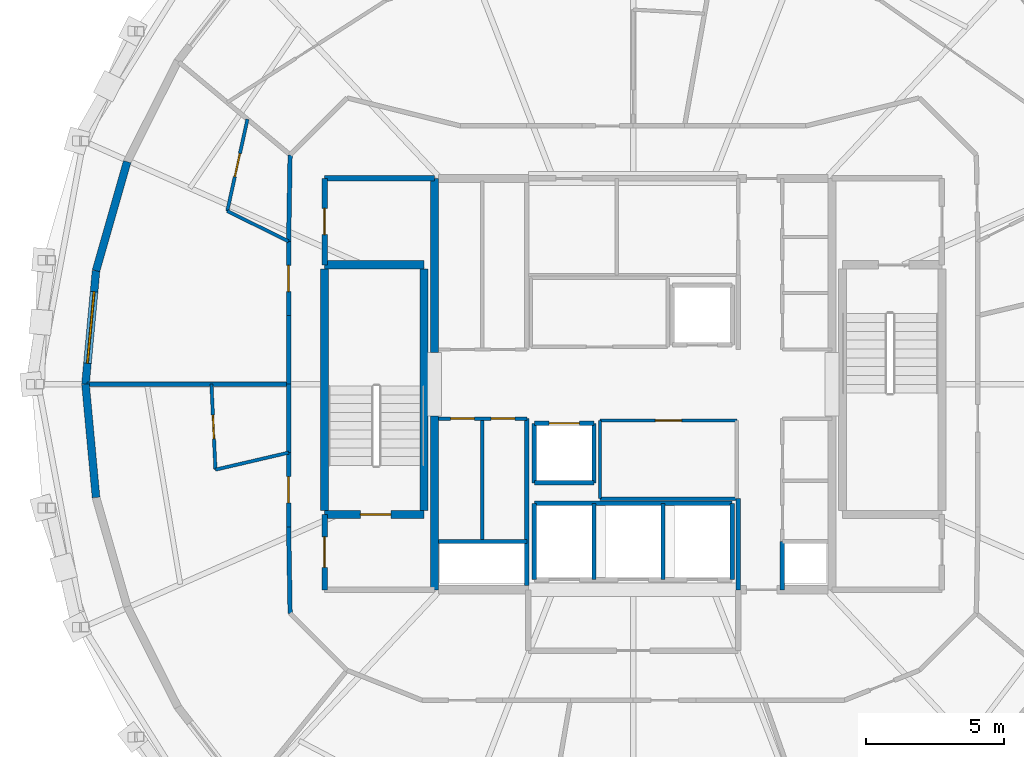
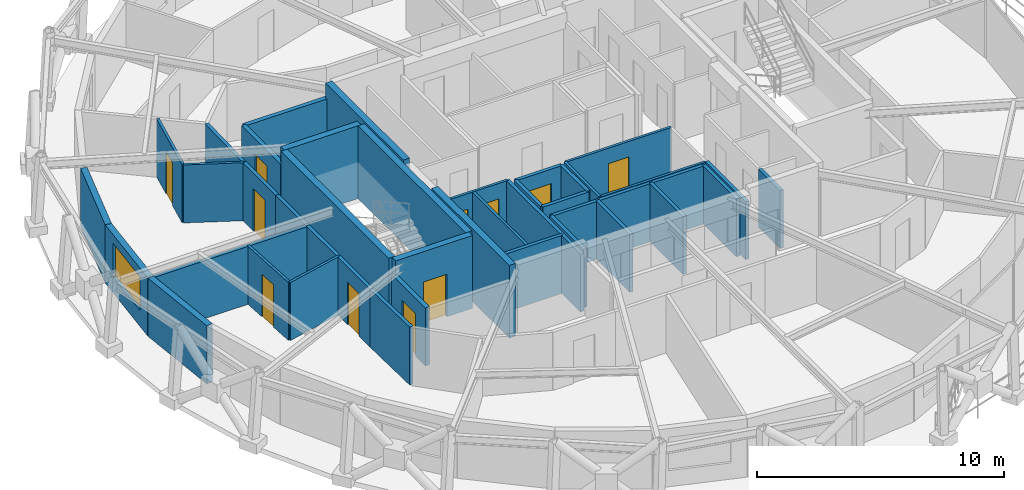
# One storey, part 11 of 15: 41 walls, 11 doors, 1 window, 12 openings.
"""IFC4 building model written with IfcOpenShell, lengths in metres."""

import ifcopenshell
import ifcopenshell.guid

model = None  # the IFC model being written
_history = None  # IfcOwnerHistory: only IFC2X3 demands one
_inside = {}  # id of a spatial element -> (the spatial element, [elements in it])
_under = {}  # id of a project, library or spatial element -> (it, [spatial elements below it])
_declared = {}  # id of a project -> (the project, [libraries it declares])
_typed = {}  # id of a type object -> (the type object, [elements of that type])
_made_of = {}  # id of a material, layer set ... -> (it, [elements and type objects made of it])


def new_model(schema):
    """Start an empty IFC model of exactly this schema.

    Asked for "IFC4X3", IfcOpenShell would pick the latest addendum, in which some entities
    have other attributes; the version numbers below select the first issue.
    IFC2X3 requires an IfcOwnerHistory on every rooted entity: one is made here for all.
    """
    global model, _history
    if schema == "IFC4X3":
        model = ifcopenshell.file(schema_version=(4, 3, 0, 0))
    else:
        model = ifcopenshell.file(schema=schema)
    _inside.clear()
    _under.clear()
    _declared.clear()
    _typed.clear()
    _made_of.clear()
    _history = None
    if model.schema == "IFC2X3":
        org = make("IfcOrganization", Name="unknown")
        user = make(
            "IfcPersonAndOrganization",
            ThePerson=make("IfcPerson", FamilyName="unknown"),
            TheOrganization=org,
        )
        app = make(
            "IfcApplication",
            ApplicationDeveloper=org,
            Version="unknown",
            ApplicationFullName="unknown",
            ApplicationIdentifier="unknown",
        )
        _history = make(
            "IfcOwnerHistory",
            OwningUser=user,
            OwningApplication=app,
            ChangeAction="ADDED",
            CreationDate=0,
        )
    return model


def make(cls, **values):
    """One entity of the class cls with the attributes given. An attribute that is None is left unset."""
    return model.create_entity(
        cls, **{name: value for name, value in values.items() if value is not None}
    )


def rooted(cls, **values):
    """An entity with a GlobalId (a new one), such as an element, a storey or a relation."""
    return make(cls, GlobalId=ifcopenshell.guid.new(), OwnerHistory=_history, **values)


def si_unit(unit_type, name, prefix=None):
    """IfcSIUnit, for example si_unit("LENGTHUNIT", "METRE", prefix="MILLI")."""
    return make("IfcSIUnit", UnitType=unit_type, Prefix=prefix, Name=name)


def assignment(units):
    """IfcUnitAssignment: the units of a project."""
    return None if units is None else make("IfcUnitAssignment", Units=units)


def point(xyz):
    """IfcCartesianPoint."""
    return None if xyz is None else make("IfcCartesianPoint", Coordinates=xyz)


def direction(xyz):
    """IfcDirection."""
    return None if xyz is None else make("IfcDirection", DirectionRatios=xyz)


def frame(location, z_axis=None, x_axis=None):
    """IfcAxis2Placement3D, a coordinate frame: its origin and axes. An axis left out is left unset."""
    return make(
        "IfcAxis2Placement3D",
        Location=point(location),
        Axis=direction(z_axis),
        RefDirection=direction(x_axis),
    )


def frame_2d(location, x_axis=None):
    """IfcAxis2Placement2D, a coordinate frame in the plane: its origin and x axis."""
    return make(
        "IfcAxis2Placement2D", Location=point(location), RefDirection=direction(x_axis)
    )


def origin():
    """The frame at (0, 0, 0) with its axes left unset."""
    return frame((0.0, 0.0, 0.0))


def place(relative_to, where):
    """IfcLocalPlacement: puts the frame where relative to a parent placement (None: the world)."""
    return make(
        "IfcLocalPlacement", PlacementRelTo=relative_to, RelativePlacement=where
    )


def context(
    kind, dimensions, precision=None, world=None, true_north=None, identifier=None
):
    """IfcGeometricRepresentationContext, for example the 3D "Model" context."""
    return make(
        "IfcGeometricRepresentationContext",
        ContextIdentifier=identifier,
        ContextType=kind,
        CoordinateSpaceDimension=dimensions,
        Precision=precision,
        WorldCoordinateSystem=world,
        TrueNorth=true_north,
    )


def subcontext(parent, identifier, kind, view, scale=None):
    """IfcGeometricRepresentationSubContext, for example "Body" below "Model"."""
    return make(
        "IfcGeometricRepresentationSubContext",
        ContextIdentifier=identifier,
        ContextType=kind,
        ParentContext=parent,
        TargetScale=scale,
        TargetView=view,
    )


def project(units=None, contexts=None):
    """IfcProject with its units and contexts."""
    return rooted(
        "IfcProject",
        Name="project",
        RepresentationContexts=contexts,
        UnitsInContext=assignment(units),
    )


def spatial(cls, under=None, at=None, **own):
    """A site, building, storey or space (cls), placed at a placement, below another one or the project."""
    s = rooted(cls, ObjectPlacement=at, **own)
    if under is not None:
        _under.setdefault(under.id(), (under, []))[1].append(s)
    return s


def profile(cls, at=None, kind="AREA", **sizes):
    """A parametric profile (cls). Its sizes go by their IFC names, for example OverallWidth=200.0."""
    return make(cls, ProfileType=kind, Position=at, **sizes)


def rectangle(**sizes):
    """IfcRectangleProfileDef."""
    return profile("IfcRectangleProfileDef", **sizes)


def extrude(swept, where, along, depth):
    """IfcExtrudedAreaSolid: the profile swept, set in the frame where, extruded along a direction by depth."""
    return make(
        "IfcExtrudedAreaSolid",
        SweptArea=swept,
        Position=where,
        ExtrudedDirection=direction(along),
        Depth=depth,
    )


def shape(context_of_items, identifier, shape_type, items):
    """IfcShapeRepresentation: the items that make up one representation, for example the "Body"."""
    return make(
        "IfcShapeRepresentation",
        ContextOfItems=context_of_items,
        RepresentationIdentifier=identifier,
        RepresentationType=shape_type,
        Items=items,
    )


def material(Name=None, Category=None):
    """IfcMaterial."""
    return make("IfcMaterial", Name=Name, Category=Category)


def layer(
    of_material, thickness, ventilated=None, Name=None, Category=None, Priority=None
):
    """IfcMaterialLayer: one layer of a wall or slab, of a material (None: an air gap)."""
    return make(
        "IfcMaterialLayer",
        Material=of_material,
        LayerThickness=thickness,
        IsVentilated=ventilated,
        Name=Name,
        Category=Category,
        Priority=Priority,
    )


def layer_set(layers, Name=None):
    """IfcMaterialLayerSet."""
    return make("IfcMaterialLayerSet", MaterialLayers=layers, LayerSetName=Name)


def made_of(thing, what):
    """Note that an element or type object is made of a material, layer set ...; save() writes the relation."""
    if what is not None:
        _made_of.setdefault(what.id(), (what, []))[1].append(thing)
    return thing


def type_object(cls, material=None, **own):
    """A type object (cls), such as IfcWallType, which elements share."""
    return made_of(rooted(cls, **own), material)


def element(
    cls,
    number,
    at=None,
    inside=None,
    cuts=None,
    type_object=None,
    material=None,
    context=None,
    identifier="Body",
    shape_type=None,
    held_by="IfcProductDefinitionShape",
    body=None,
    shapes=None,
    **own,
):
    """One element of the class cls, such as IfcWall. Its Tag is "e" and its number.

    at: its placement. inside: the storey or other place that contains it. cuts: it is an
    opening in that element (IfcRelVoidsElement). A single representation is given by context,
    identifier, shape_type and body (its items); several are given by shapes. held_by: the class
    of the entity that holds the representations. save() writes the other relations.
    """
    e = rooted(cls, Tag="e%d" % number, ObjectPlacement=at, **own)
    if body is not None:
        shapes = [shape(context, identifier, shape_type, body)]
    if shapes is not None:
        e.Representation = make(held_by, Representations=shapes)
    if inside is not None:
        _inside.setdefault(inside.id(), (inside, []))[1].append(e)
    if cuts is not None:
        rooted(
            "IfcRelVoidsElement", RelatingBuildingElement=cuts, RelatedOpeningElement=e
        )
    if type_object is not None:
        _typed.setdefault(type_object.id(), (type_object, []))[1].append(e)
    return made_of(e, material)


def fill(opening, filler):
    """IfcRelFillsElement: the door or window that sits in an opening."""
    return rooted(
        "IfcRelFillsElement",
        RelatingOpeningElement=opening,
        RelatedBuildingElement=filler,
    )


def aggregate(whole, parts):
    """IfcRelAggregates: a whole, such as a stair, and the parts it consists of."""
    return rooted("IfcRelAggregates", RelatingObject=whole, RelatedObjects=parts)


def save(model, path):
    """Write the relations noted so far, then the file.

    IfcRelAggregates (storeys below a building ...), IfcRelContainedInSpatialStructure (elements
    in a storey), IfcRelDefinesByType, IfcRelAssociatesMaterial and IfcRelDeclares: one each for
    every whole, place, type object, material and project.
    """
    for whole, parts in _under.values():
        aggregate(whole, parts)
    for where, things in _inside.values():
        rooted(
            "IfcRelContainedInSpatialStructure",
            RelatedElements=things,
            RelatingStructure=where,
        )
    for kind, things in _typed.values():
        rooted("IfcRelDefinesByType", RelatedObjects=things, RelatingType=kind)
    for what, things in _made_of.values():
        rooted("IfcRelAssociatesMaterial", RelatedObjects=things, RelatingMaterial=what)
    for by, libraries in _declared.values():
        rooted("IfcRelDeclares", RelatingContext=by, RelatedDefinitions=libraries)
    model.write(path)


model = new_model("IFC4")

# Units and contexts
model_context = context("Model", 3, precision=1e-05, world=origin(), true_north=direction((0.0, 1.0)))
body_context = subcontext(model_context, "Body", "Model", "MODEL_VIEW")
ifc_project = project(units=[si_unit("LENGTHUNIT", "METRE"), si_unit("AREAUNIT", "SQUARE_METRE"), si_unit("VOLUMEUNIT", "CUBIC_METRE"), si_unit("PLANEANGLEUNIT", "RADIAN"), si_unit("MASSUNIT", "GRAM", prefix="KILO")], contexts=[model_context])

# Site, building, storey
site_placement = place(None, origin())
site = spatial("IfcSite", under=ifc_project, at=site_placement, CompositionType="ELEMENT")
building_placement = place(site_placement, origin())
building = spatial("IfcBuilding", under=site, at=building_placement, Name="Veldorina Hangang Commons", CompositionType="ELEMENT")
storey_placement = place(building_placement, frame((0.0, 0.0, 265.199951171875)))
storey = spatial("IfcBuildingStorey", under=building, at=storey_placement, Name="L69", CompositionType="ELEMENT", Elevation=265.199951171875)

# Walls
ifc_material_1 = material(Name="Concrete C50/60", Category="concrete")
ifc_layer_1 = layer(ifc_material_1, 0.300048828125)
ifc_layer_set_1 = layer_set([ifc_layer_1], Name="Concrete C50/60")
wall_type_1 = type_object("IfcWallType", Name="CW-RC300-C50", PredefinedType="SHEAR", material=ifc_layer_set_1)
for number, where, z_axis, x_axis, name in (
    (1, (24.800048828125, 16.550048828125, 0.0), (0.0, 0.0, 1.0), (0.0, 1.0, 0.0), "L69 W south core shear wall"),
    (2, (24.800048828125, 25.14990234375, 0.0), (0.0, 0.0, 1.0), (0.0, 1.0, 0.0), "L69 W north core shear wall"),
):
    element("IfcWall", number, at=place(storey_placement, frame(where, z_axis=z_axis, x_axis=x_axis)), inside=storey, type_object=wall_type_1, Name=name, PredefinedType="SHEAR", context=body_context, shape_type="SweptSolid", body=[
        extrude(rectangle(XDim=6.300048828125, YDim=0.300048828125, at=frame_2d((3.14990234375, 0.0))), origin(), (0.0, 0.0, 1.0), 3.60009765625),
    ])
ifc_material_2 = material(Name="Stone Roman Travertine", Category="masonry")
ifc_layer_2 = layer(ifc_material_2, 0.280029296875)
ifc_layer_set_2 = layer_set([ifc_layer_2], Name="Stone Roman Travertine")
wall_type_2 = type_object("IfcWallType", Name="EW-TRAV-280", PredefinedType="STANDARD", material=ifc_layer_set_2)
wall_1_placement = place(storey_placement, frame((13.673583984375, 32.05517578125, 0.0), z_axis=(0.0, 0.0, 1.0), x_axis=(-0.274823195621, -0.961494779574, 0.0)))
element("IfcWall", 3, at=wall_1_placement, inside=storey, type_object=wall_type_2, Name="L69 travertine facade wall 14", PredefinedType="STANDARD", context=body_context, shape_type="SweptSolid", body=[
    extrude(rectangle(XDim=4.10693359375, YDim=0.280029296875, at=frame_2d((2.053466796875, 0.0))), origin(), (0.0, 0.0, 1.0), 2.880126953125),
])

# Wall, opening, window
wall_2_placement = place(storey_placement, frame((12.544921875, 28.1064453125, 0.0), z_axis=(0.0, 0.0, 1.0), x_axis=(-0.092467769865, -0.995715678061, 0.0)))
wall_2 = element("IfcWall", 4, at=wall_2_placement, inside=storey, type_object=wall_type_2, Name="L69 travertine facade wall 15", PredefinedType="STANDARD", context=body_context, shape_type="SweptSolid", body=[
    extrude(rectangle(XDim=4.1240234375, YDim=0.280029296875, at=frame_2d((2.06201171875, 0.0))), origin(), (0.0, 0.0, 1.0), 2.880126953125),
])
opening_1_placement = place(wall_2_placement, frame((0.76220703125, 0.0, 0.800048828125)))
opening_1 = element("IfcOpeningElement", 5, at=opening_1_placement, cuts=wall_2, Name="Opening W-02", PredefinedType="OPENING", context=body_context, shape_type="SweptSolid", body=[
    extrude(rectangle(XDim=2.60009765625, YDim=1.64990234375, at=frame_2d((1.300048828125, 0.824951171875))), frame((0.0, 0.14990234375, 0.0), z_axis=(0.0, -1.0, 0.0), x_axis=(1.0, 0.0, 0.0)), (0.0, 0.0, 1.0), 0.300048828125),
])
ifc_material_3 = material(Name="Glass Low-E Triple IGU", Category="glass")
window_type = type_object("IfcWindowType", Name="WIN-TWR-2600", PartitioningType="SINGLE_PANEL", PredefinedType="WINDOW", material=ifc_material_3)
window_placement = place(opening_1_placement, origin())
window = element("IfcWindow", 6, at=window_placement, inside=storey, type_object=window_type, Name="L69 facade window 15", OverallHeight=1.64990234375, OverallWidth=2.60009765625, PartitioningType="SINGLE_PANEL", PredefinedType="WINDOW", context=body_context, shape_type="SweptSolid", body=[
    extrude(rectangle(XDim=2.60009765625, YDim=1.64990234375, at=frame_2d((1.300048828125, 0.824951171875))), frame((0.0, 0.030029296875, 0.0), z_axis=(0.0, -1.0, 0.0), x_axis=(1.0, 0.0, 0.0)), (0.0, 0.0, 1.0), 0.06005859375),
])
fill(opening_1, window)

# Walls
wall_3_placement = place(storey_placement, frame((12.16357421875, 24.0, 0.0), z_axis=(0.0, 0.0, 1.0), x_axis=(0.092467769865, -0.995715678061, 0.0)))
element("IfcWall", 7, at=wall_3_placement, inside=storey, type_object=wall_type_2, Name="L69 travertine facade wall 16", PredefinedType="STANDARD", context=body_context, shape_type="SweptSolid", body=[
    extrude(rectangle(XDim=4.1240234375, YDim=0.280029296875, at=frame_2d((2.06201171875, 0.0))), origin(), (0.0, 0.0, 1.0), 2.880126953125),
])
ifc_layer_3 = layer(ifc_material_1, 0.300048828125)
ifc_layer_set_3 = layer_set([ifc_layer_3], Name="Concrete C50/60")
wall_type_3 = type_object("IfcWallType", Name="SW-STAIR-300", PredefinedType="SHEAR", material=ifc_layer_set_3)
for number, where, z_axis, x_axis, name in (
    (8, (20.820068359375, 19.429931640625, 0.0), (0.0, 0.0, 1.0), (0.0, 1.0, 0.0), "L69 ST1 outer stair shear wall"),
    (9, (24.419921875, 19.429931640625, 0.0), (0.0, 0.0, 1.0), (0.0, 1.0, 0.0), "L69 ST1 inner stair shear wall"),
):
    element("IfcWall", number, at=place(storey_placement, frame(where, z_axis=z_axis, x_axis=x_axis)), inside=storey, type_object=wall_type_3, Name=name, PredefinedType="SHEAR", context=body_context, shape_type="SweptSolid", body=[
        extrude(rectangle(XDim=8.739990234375, YDim=0.300048828125, at=frame_2d((4.3701171875, 0.0))), origin(), (0.0, 0.0, 1.0), 3.60009765625),
    ])

# Wall, opening, door
wall_4_placement = place(storey_placement, frame((20.820068359375, 19.280029296875, 0.0), z_axis=(0.0, 0.0, 1.0), x_axis=(1.0, 0.0, 0.0)))
wall_4 = element("IfcWall", 10, at=wall_4_placement, inside=storey, type_object=wall_type_3, Name="L69 ST1 south stair shear wall", PredefinedType="SHEAR", context=body_context, shape_type="SweptSolid", body=[
    extrude(rectangle(XDim=3.599853515625, YDim=0.300048828125, at=frame_2d((1.7998046875, 0.0))), origin(), (0.0, 0.0, 1.0), 3.60009765625),
])
opening_2_placement = place(wall_4_placement, frame((1.300048828125, 0.0, 0.0)))
opening_2 = element("IfcOpeningElement", 11, at=opening_2_placement, cuts=wall_4, Name="Opening D-08", PredefinedType="OPENING", context=body_context, shape_type="SweptSolid", body=[
    extrude(rectangle(XDim=1.10009765625, YDim=2.10009765625, at=frame_2d((0.550048828125, 1.050048828125))), frame((0.0, 0.16015625, 0.0), z_axis=(0.0, -1.0, 0.0), x_axis=(1.0, 0.0, 0.0)), (0.0, 0.0, 1.0), 0.320068359375),
])
ifc_material_4 = material(Name="Steel Fire-Rated Smoke Seal", Category="steel")
door_type_1 = type_object("IfcDoorType", Name="DR-FIRE-1100", OperationType="SINGLE_SWING_RIGHT", PredefinedType="DOOR", material=ifc_material_4)
door_1_placement = place(opening_2_placement, origin())
door_1 = element("IfcDoor", 12, at=door_1_placement, inside=storey, type_object=door_type_1, Name="L69 Special Escape Stair ST-1 door", OperationType="SINGLE_SWING_LEFT", OverallHeight=2.10009765625, OverallWidth=1.10009765625, PredefinedType="DOOR", context=body_context, shape_type="SweptSolid", body=[
    extrude(rectangle(XDim=1.10009765625, YDim=2.10009765625, at=frame_2d((0.550048828125, 1.050048828125))), frame((0.0, 0.02490234375, 0.0), z_axis=(0.0, -1.0, 0.0), x_axis=(1.0, 0.0, 0.0)), (0.0, 0.0, 1.0), 0.050048828125),
])
fill(opening_2, door_1)

# Walls
wall_5_placement = place(storey_placement, frame((20.820068359375, 28.320068359375, 0.0), z_axis=(0.0, 0.0, 1.0), x_axis=(1.0, 0.0, 0.0)))
element("IfcWall", 13, at=wall_5_placement, inside=storey, type_object=wall_type_3, Name="L69 ST1 north stair shear wall", PredefinedType="SHEAR", context=body_context, shape_type="SweptSolid", body=[
    extrude(rectangle(XDim=3.599853515625, YDim=0.300048828125, at=frame_2d((1.7998046875, 0.0))), origin(), (0.0, 0.0, 1.0), 3.60009765625),
])
ifc_material_5 = material(Name="Gypsum Fire-Rated Twin Stud Wall", Category="gypsum")
ifc_layer_4 = layer(ifc_material_5, 0.159912109375)
ifc_layer_set_4 = layer_set([ifc_layer_4], Name="Gypsum Fire-Rated Twin Stud Wall")
wall_type_4 = type_object("IfcWallType", Name="WL-FIRE-160", PredefinedType="SOLIDWALL", material=ifc_layer_set_4)
wall_6_placement = place(storey_placement, frame((35.800048828125, 16.550048828125, 0.0), z_axis=(0.0, 0.0, 1.0), x_axis=(0.0, 1.0, 0.0)))
element("IfcWall", 14, at=wall_6_placement, inside=storey, type_object=wall_type_4, Name="L69 Lift passage SW wall 009", PredefinedType="SOLIDWALL", context=body_context, shape_type="SweptSolid", body=[
    extrude(rectangle(XDim=3.300048828125, YDim=0.159912109375, at=frame_2d((1.64990234375, 0.0))), origin(), (0.0, 0.0, 1.0), 2.8701171875),
])
wall_7_placement = place(storey_placement, frame((37.39990234375, 16.550048828125, 0.0), z_axis=(0.0, 0.0, 1.0), x_axis=(0.0, 1.0, 0.0)))
element("IfcWall", 15, at=wall_7_placement, inside=storey, type_object=wall_type_4, Name="L69 Lift passage SE stub 010", PredefinedType="SOLIDWALL", context=body_context, shape_type="SweptSolid", body=[
    extrude(rectangle(XDim=1.75, YDim=0.159912109375, at=frame_2d((0.875, 0.0))), origin(), (0.0, 0.0, 1.0), 2.8701171875),
])

# Wall, opening, door
wall_8_placement = place(storey_placement, frame((28.419921875, 22.580078125, 0.0), z_axis=(0.0, 0.0, 1.0), x_axis=(1.0, 0.0, 0.0)))
wall_8 = element("IfcWall", 16, at=wall_8_placement, inside=storey, type_object=wall_type_4, Name="L69 Shuttle-high front shaft wall 019", PredefinedType="SOLIDWALL", context=body_context, shape_type="SweptSolid", body=[
    extrude(rectangle(XDim=2.16015625, YDim=0.159912109375, at=frame_2d((1.080078125, 0.0))), origin(), (0.0, 0.0, 1.0), 2.8701171875),
])
opening_3_placement = place(wall_8_placement, frame((0.530029296875, 0.0, 0.0)))
opening_3 = element("IfcOpeningElement", 17, at=opening_3_placement, cuts=wall_8, Name="Opening LD-01", PredefinedType="OPENING", context=body_context, shape_type="SweptSolid", body=[
    extrude(rectangle(XDim=1.10009765625, YDim=2.14990234375, at=frame_2d((0.550048828125, 1.074951171875))), frame((0.0, 0.08984375, 0.0), z_axis=(0.0, -1.0, 0.0), x_axis=(1.0, 0.0, 0.0)), (0.0, 0.0, 1.0), 0.179931640625),
])
ifc_material_6 = material(Name="Stainless Steel Brushed Lift Door", Category="steel")
door_type_2 = type_object("IfcDoorType", Name="DR-LIFT-1100", OperationType="SLIDING_TO_LEFT", PredefinedType="DOOR", material=ifc_material_6)
door_2_placement = place(opening_3_placement, origin())
door_2 = element("IfcDoor", 18, at=door_2_placement, inside=storey, type_object=door_type_2, Name="L69 Lift PL-H2 landing door 007", OperationType="SLIDING_TO_LEFT", OverallHeight=2.14990234375, OverallWidth=1.10009765625, PredefinedType="DOOR", context=body_context, shape_type="SweptSolid", body=[
    extrude(rectangle(XDim=1.10009765625, YDim=2.14990234375, at=frame_2d((0.550048828125, 1.074951171875))), frame((0.0, 0.02490234375, 0.0), z_axis=(0.0, -1.0, 0.0), x_axis=(1.0, 0.0, 0.0)), (0.0, 0.0, 1.0), 0.050048828125),
])
fill(opening_3, door_2)

# Walls
for number, where, z_axis, x_axis, name in (
    (19, (28.419921875, 20.419921875, 0.0), (0.0, 0.0, 1.0), (1.0, 0.0, 0.0), "L69 Shuttle-high rear shaft wall 020"),
    (20, (28.419921875, 20.419921875, 0.0), (0.0, 0.0, 1.0), (0.0, 1.0, 0.0), "L69 PL-H2 west shaft wall 021"),
    (21, (30.580078125, 20.419921875, 0.0), (0.0, 0.0, 1.0), (0.0, 1.0, 0.0), "L69 PL-H2 east shaft wall 022"),
):
    element("IfcWall", number, at=place(storey_placement, frame(where, z_axis=z_axis, x_axis=x_axis)), inside=storey, type_object=wall_type_4, Name=name, PredefinedType="SOLIDWALL", context=body_context, shape_type="SweptSolid", body=[
        extrude(rectangle(XDim=2.16015625, YDim=0.159912109375, at=frame_2d((1.080078125, 0.0))), origin(), (0.0, 0.0, 1.0), 2.8701171875),
    ])
wall_9_placement = place(storey_placement, frame((28.419921875, 19.679931640625, 0.0), z_axis=(0.0, 0.0, 1.0), x_axis=(1.0, 0.0, 0.0)))
element("IfcWall", 22, at=wall_9_placement, inside=storey, type_object=wall_type_4, Name="L69 Emergency rear shaft wall 024", PredefinedType="SOLIDWALL", context=body_context, shape_type="SweptSolid", body=[
    extrude(rectangle(XDim=7.16015625, YDim=0.159912109375, at=frame_2d((3.580078125, 0.0))), origin(), (0.0, 0.0, 1.0), 2.8701171875),
])
for number, where, z_axis, x_axis, name in (
    (23, (28.419921875, 16.919921875, 0.0), (0.0, 0.0, 1.0), (0.0, 1.0, 0.0), "L69 FFL-1 west shaft wall 025"),
    (24, (30.580078125, 16.919921875, 0.0), (0.0, 0.0, 1.0), (0.0, 1.0, 0.0), "L69 FFL-1 east shaft wall 026"),
    (25, (33.080078125, 16.919921875, 0.0), (0.0, 0.0, 1.0), (0.0, 1.0, 0.0), "L69 FFL-2 east shaft wall 027"),
    (26, (35.580078125, 16.919921875, 0.0), (0.0, 0.0, 1.0), (0.0, 1.0, 0.0), "L69 EVL-1 east shaft wall 028"),
):
    element("IfcWall", number, at=place(storey_placement, frame(where, z_axis=z_axis, x_axis=x_axis)), inside=storey, type_object=wall_type_4, Name=name, PredefinedType="SOLIDWALL", context=body_context, shape_type="SweptSolid", body=[
        extrude(rectangle(XDim=2.760009765625, YDim=0.159912109375, at=frame_2d((1.3798828125, 0.0))), origin(), (0.0, 0.0, 1.0), 2.8701171875),
    ])
wall_10_placement = place(storey_placement, frame((24.949951171875, 18.300048828125, 0.0), z_axis=(0.0, 0.0, 1.0), x_axis=(1.0, 0.0, 0.0)))
element("IfcWall", 27, at=wall_10_placement, inside=storey, type_object=wall_type_4, Name="L69 Electrical riser wall 041", PredefinedType="SOLIDWALL", context=body_context, shape_type="SweptSolid", body=[
    extrude(rectangle(XDim=3.199951171875, YDim=0.159912109375, at=frame_2d((1.60009765625, 0.0))), origin(), (0.0, 0.0, 1.0), 2.8701171875),
])
wall_11_placement = place(storey_placement, frame((28.14990234375, 16.699951171875, 0.0), z_axis=(0.0, 0.0, 1.0), x_axis=(0.0, 1.0, 0.0)))
element("IfcWall", 28, at=wall_11_placement, inside=storey, type_object=wall_type_4, Name="L69 SW core inner wall 042", PredefinedType="SOLIDWALL", context=body_context, shape_type="SweptSolid", body=[
    extrude(rectangle(XDim=6.050048828125, YDim=0.159912109375, at=frame_2d((3.02490234375, 0.0))), origin(), (0.0, 0.0, 1.0), 2.8701171875),
])
wall_12_placement = place(storey_placement, frame((19.5732421875, 32.30322265625, 0.0), z_axis=(0.0, 0.0, 1.0), x_axis=(-0.016981035134, -0.999855811828, 0.0)))
element("IfcWall", 29, at=wall_12_placement, inside=storey, type_object=wall_type_4, Name="L69 Compact collar outer wall 13 069", PredefinedType="SOLIDWALL", context=body_context, shape_type="SweptSolid", body=[
    extrude(rectangle(XDim=3.13427734375, YDim=0.159912109375, at=frame_2d((1.567138671875, 0.0))), origin(), (0.0, 0.0, 1.0), 2.8701171875),
])

# Wall, opening, door
wall_13_placement = place(storey_placement, frame((19.52001953125, 29.16943359375, 0.0), z_axis=(0.0, 0.0, 1.0), x_axis=(0.0, -1.0, 0.0)))
wall_13 = element("IfcWall", 30, at=wall_13_placement, inside=storey, type_object=wall_type_4, Name="L69 Compact collar outer wall 14 070", PredefinedType="SOLIDWALL", context=body_context, shape_type="SweptSolid", body=[
    extrude(rectangle(XDim=2.68701171875, YDim=0.159912109375, at=frame_2d((1.343505859375, 0.0))), origin(), (0.0, 0.0, 1.0), 2.8701171875),
])
opening_4_placement = place(wall_13_placement, frame((0.868408203125, 0.0, 0.0)))
opening_4 = element("IfcOpeningElement", 31, at=opening_4_placement, cuts=wall_13, Name="Opening D-03", PredefinedType="OPENING", context=body_context, shape_type="SweptSolid", body=[
    extrude(rectangle(XDim=0.949951171875, YDim=2.10009765625, at=frame_2d((0.47509765625, 1.050048828125))), frame((0.0, 0.08984375, 0.0), z_axis=(0.0, -1.0, 0.0), x_axis=(1.0, 0.0, 0.0)), (0.0, 0.0, 1.0), 0.179931640625),
])
ifc_material_7 = material(Name="Timber Fire-Rated Entrance Core", Category="wood")
door_type_3 = type_object("IfcDoorType", Name="DR-UNIT-950", OperationType="SINGLE_SWING_RIGHT", PredefinedType="DOOR", material=ifc_material_7)
door_3_placement = place(opening_4_placement, origin())
door_3 = element("IfcDoor", 32, at=door_3_placement, inside=storey, type_object=door_type_3, Name="L69 Studio 4 entrance door 036", OperationType="SINGLE_SWING_RIGHT", OverallHeight=2.10009765625, OverallWidth=0.949951171875, PredefinedType="DOOR", context=body_context, shape_type="SweptSolid", body=[
    extrude(rectangle(XDim=0.949951171875, YDim=2.10009765625, at=frame_2d((0.47509765625, 1.050048828125))), frame((0.0, 0.02490234375, 0.0), z_axis=(0.0, -1.0, 0.0), x_axis=(1.0, 0.0, 0.0)), (0.0, 0.0, 1.0), 0.050048828125),
])
fill(opening_4, door_3)

# Walls
for number, where, z_axis, x_axis, name in (
    (33, (19.52001953125, 26.482421875, 0.0), (0.0, 0.0, 1.0), (0.0, -1.0, 0.0), "L69 Compact collar outer wall 15 071"),
    (34, (19.52001953125, 24.0, 0.0), (0.0, 0.0, 1.0), (0.0, -1.0, 0.0), "L69 Compact collar outer wall 16 072"),
):
    element("IfcWall", number, at=place(storey_placement, frame(where, z_axis=z_axis, x_axis=x_axis)), inside=storey, type_object=wall_type_4, Name=name, PredefinedType="SOLIDWALL", context=body_context, shape_type="SweptSolid", body=[
        extrude(rectangle(XDim=2.482421875, YDim=0.159912109375, at=frame_2d((1.2412109375, 0.0))), origin(), (0.0, 0.0, 1.0), 2.8701171875),
    ])

# Wall, opening, door
wall_14_placement = place(storey_placement, frame((19.52001953125, 21.517578125, 0.0), z_axis=(0.0, 0.0, 1.0), x_axis=(0.0, -1.0, 0.0)))
wall_14 = element("IfcWall", 35, at=wall_14_placement, inside=storey, type_object=wall_type_4, Name="L69 Compact collar outer wall 17 073", PredefinedType="SOLIDWALL", context=body_context, shape_type="SweptSolid", body=[
    extrude(rectangle(XDim=2.68701171875, YDim=0.159912109375, at=frame_2d((1.343505859375, 0.0))), origin(), (0.0, 0.0, 1.0), 2.8701171875),
])
opening_5_placement = place(wall_14_placement, frame((0.868408203125, 0.0, 0.0)))
opening_5 = element("IfcOpeningElement", 36, at=opening_5_placement, cuts=wall_14, Name="Opening D-03", PredefinedType="OPENING", context=body_context, shape_type="SweptSolid", body=[
    extrude(rectangle(XDim=0.949951171875, YDim=2.10009765625, at=frame_2d((0.47509765625, 1.050048828125))), frame((0.0, 0.08984375, 0.0), z_axis=(0.0, -1.0, 0.0), x_axis=(1.0, 0.0, 0.0)), (0.0, 0.0, 1.0), 0.179931640625),
])
door_4_placement = place(opening_5_placement, origin())
door_4 = element("IfcDoor", 37, at=door_4_placement, inside=storey, type_object=door_type_3, Name="L69 Studio 5 entrance door 038", OperationType="SINGLE_SWING_RIGHT", OverallHeight=2.10009765625, OverallWidth=0.949951171875, PredefinedType="DOOR", context=body_context, shape_type="SweptSolid", body=[
    extrude(rectangle(XDim=0.949951171875, YDim=2.10009765625, at=frame_2d((0.47509765625, 1.050048828125))), frame((0.0, 0.02490234375, 0.0), z_axis=(0.0, -1.0, 0.0), x_axis=(1.0, 0.0, 0.0)), (0.0, 0.0, 1.0), 0.050048828125),
])
fill(opening_5, door_4)

# Walls
wall_15_placement = place(storey_placement, frame((19.52001953125, 18.83056640625, 0.0), z_axis=(0.0, 0.0, 1.0), x_axis=(0.016981035134, -0.999855811828, 0.0)))
element("IfcWall", 38, at=wall_15_placement, inside=storey, type_object=wall_type_4, Name="L69 Compact collar outer wall 18 074", PredefinedType="SOLIDWALL", context=body_context, shape_type="SweptSolid", body=[
    extrude(rectangle(XDim=3.13427734375, YDim=0.159912109375, at=frame_2d((1.567138671875, 0.0))), origin(), (0.0, 0.0, 1.0), 2.8701171875),
])
wall_16_placement = place(storey_placement, frame((19.52001953125, 24.0, 0.0), z_axis=(0.0, 0.0, 1.0), x_axis=(-1.0, 0.0, 0.0)))
element("IfcWall", 39, at=wall_16_placement, inside=storey, type_object=wall_type_4, Name="L69 Unit party wall 16 108", PredefinedType="SOLIDWALL", context=body_context, shape_type="SweptSolid", body=[
    extrude(rectangle(XDim=7.306396484375, YDim=0.159912109375, at=frame_2d((3.6533203125, 0.0))), origin(), (0.0, 0.0, 1.0), 2.8701171875),
])

# Wall, opening, door
ifc_material_8 = material(Name="Concrete Blockwork Fire Wall C30/37", Category="masonry")
ifc_layer_5 = layer(ifc_material_8, 0.199951171875)
ifc_layer_set_5 = layer_set([ifc_layer_5], Name="Concrete Blockwork Fire Wall C30/37")
wall_type_5 = type_object("IfcWallType", Name="WL-FIRE-200", PredefinedType="SOLIDWALL", material=ifc_layer_set_5)
wall_17_placement = place(storey_placement, frame((20.820068359375, 16.550048828125, 0.0), z_axis=(0.0, 0.0, 1.0), x_axis=(0.0, 1.0, 0.0)))
wall_17 = element("IfcWall", 40, at=wall_17_placement, inside=storey, type_object=wall_type_5, Name="L69 West vestibule outer wall 001", PredefinedType="SOLIDWALL", context=body_context, shape_type="SweptSolid", body=[
    extrude(rectangle(XDim=2.72998046875, YDim=0.199951171875, at=frame_2d((1.364990234375, 0.0))), origin(), (0.0, 0.0, 1.0), 2.8701171875),
])
opening_6_placement = place(wall_17_placement, frame((0.81494140625, 0.0, 0.0)))
opening_6 = element("IfcOpeningElement", 41, at=opening_6_placement, cuts=wall_17, Name="Opening D-08", PredefinedType="OPENING", context=body_context, shape_type="SweptSolid", body=[
    extrude(rectangle(XDim=1.10009765625, YDim=2.10009765625, at=frame_2d((0.550048828125, 1.050048828125))), frame((0.0, 0.10986328125, 0.0), z_axis=(0.0, -1.0, 0.0), x_axis=(1.0, 0.0, 0.0)), (0.0, 0.0, 1.0), 0.219970703125),
])
door_5_placement = place(opening_6_placement, origin())
door_5 = element("IfcDoor", 42, at=door_5_placement, inside=storey, type_object=door_type_1, Name="L69 West vestibule west door 001", OperationType="SINGLE_SWING_LEFT", OverallHeight=2.10009765625, OverallWidth=1.10009765625, PredefinedType="DOOR", context=body_context, shape_type="SweptSolid", body=[
    extrude(rectangle(XDim=1.10009765625, YDim=2.10009765625, at=frame_2d((0.550048828125, 1.050048828125))), frame((0.0, 0.02490234375, 0.0), z_axis=(0.0, -1.0, 0.0), x_axis=(1.0, 0.0, 0.0)), (0.0, 0.0, 1.0), 0.050048828125),
])
fill(opening_6, door_5)

wall_18_placement = place(storey_placement, frame((20.820068359375, 28.320068359375, 0.0), z_axis=(0.0, 0.0, 1.0), x_axis=(0.0, 1.0, 0.0)))
wall_18 = element("IfcWall", 43, at=wall_18_placement, inside=storey, type_object=wall_type_5, Name="L69 NW core room outer wall 005", PredefinedType="SOLIDWALL", context=body_context, shape_type="SweptSolid", body=[
    extrude(rectangle(XDim=3.1298828125, YDim=0.199951171875, at=frame_2d((1.56494140625, 0.0))), origin(), (0.0, 0.0, 1.0), 2.8701171875),
])
opening_7_placement = place(wall_18_placement, frame((1.090087890625, 0.0, 0.0)))
opening_7 = element("IfcOpeningElement", 44, at=opening_7_placement, cuts=wall_18, Name="Opening D-04", PredefinedType="OPENING", context=body_context, shape_type="SweptSolid", body=[
    extrude(rectangle(XDim=0.949951171875, YDim=2.10009765625, at=frame_2d((0.47509765625, 1.050048828125))), frame((0.0, 0.10986328125, 0.0), z_axis=(0.0, -1.0, 0.0), x_axis=(1.0, 0.0, 0.0)), (0.0, 0.0, 1.0), 0.219970703125),
])
ifc_material_9 = material(Name="Timber Accessible Flush Leaf", Category="wood")
door_type_4 = type_object("IfcDoorType", Name="DR-ACC-950", OperationType="SINGLE_SWING_LEFT", PredefinedType="DOOR", material=ifc_material_9)
door_6_placement = place(opening_7_placement, origin())
door_6 = element("IfcDoor", 45, at=door_6_placement, inside=storey, type_object=door_type_4, Name="L69 NW core WC door 003", OperationType="SINGLE_SWING_LEFT", OverallHeight=2.10009765625, OverallWidth=0.949951171875, PredefinedType="DOOR", context=body_context, shape_type="SweptSolid", body=[
    extrude(rectangle(XDim=0.949951171875, YDim=2.10009765625, at=frame_2d((0.47509765625, 1.050048828125))), frame((0.0, 0.02490234375, 0.0), z_axis=(0.0, -1.0, 0.0), x_axis=(1.0, 0.0, 0.0)), (0.0, 0.0, 1.0), 0.050048828125),
])
fill(opening_7, door_6)

# Wall
wall_19_placement = place(storey_placement, frame((20.820068359375, 31.449951171875, 0.0), z_axis=(0.0, 0.0, 1.0), x_axis=(1.0, 0.0, 0.0)))
element("IfcWall", 46, at=wall_19_placement, inside=storey, type_object=wall_type_5, Name="L69 NW core room north wall 006", PredefinedType="SOLIDWALL", context=body_context, shape_type="SweptSolid", body=[
    extrude(rectangle(XDim=3.97998046875, YDim=0.199951171875, at=frame_2d((1.989990234375, 0.0))), origin(), (0.0, 0.0, 1.0), 2.8701171875),
])

# Wall, opening, door
ifc_material_10 = material(Name="Gypsum Acoustic Stud Partition", Category="gypsum")
ifc_layer_6 = layer(ifc_material_10, 0.1201171875)
ifc_layer_set_6 = layer_set([ifc_layer_6], Name="Gypsum Acoustic Stud Partition")
wall_type_6 = type_object("IfcWallType", Name="WL-PART-120", PredefinedType="PARTITIONING", material=ifc_layer_set_6)
wall_20_placement = place(storey_placement, frame((30.800048828125, 22.679931640625, 0.0), z_axis=(0.0, 0.0, 1.0), x_axis=(1.0, 0.0, 0.0)))
wall_20 = element("IfcWall", 47, at=wall_20_placement, inside=storey, type_object=wall_type_6, Name="L69 Merged shuttle north wall 037", PredefinedType="PARTITIONING", context=body_context, shape_type="SweptSolid", body=[
    extrude(rectangle(XDim=4.949951171875, YDim=0.1201171875, at=frame_2d((2.47509765625, 0.0))), origin(), (0.0, 0.0, 1.0), 2.8701171875),
])
opening_8_placement = place(wall_20_placement, frame((2.0, 0.0, 0.0)))
opening_8 = element("IfcOpeningElement", 48, at=opening_8_placement, cuts=wall_20, Name="Opening D-02", PredefinedType="OPENING", context=body_context, shape_type="SweptSolid", body=[
    extrude(rectangle(XDim=0.949951171875, YDim=2.10009765625, at=frame_2d((0.47509765625, 1.050048828125))), frame((0.0, 0.070068359375, 0.0), z_axis=(0.0, -1.0, 0.0), x_axis=(1.0, 0.0, 0.0)), (0.0, 0.0, 1.0), 0.14013671875),
])
ifc_material_11 = material(Name="Timber Solid Core Acoustic", Category="wood")
door_type_5 = type_object("IfcDoorType", Name="DR-INT-950", OperationType="SINGLE_SWING_LEFT", PredefinedType="DOOR", material=ifc_material_11)
door_7_placement = place(opening_8_placement, origin())
door_7 = element("IfcDoor", 49, at=door_7_placement, inside=storey, type_object=door_type_5, Name="L69 Floor tea pantry door 014", OperationType="SINGLE_SWING_RIGHT", OverallHeight=2.10009765625, OverallWidth=0.949951171875, PredefinedType="DOOR", context=body_context, shape_type="SweptSolid", body=[
    extrude(rectangle(XDim=0.949951171875, YDim=2.10009765625, at=frame_2d((0.47509765625, 1.050048828125))), frame((0.0, 0.02490234375, 0.0), z_axis=(0.0, -1.0, 0.0), x_axis=(1.0, 0.0, 0.0)), (0.0, 0.0, 1.0), 0.050048828125),
])
fill(opening_8, door_7)

# Walls
wall_21_placement = place(storey_placement, frame((30.800048828125, 19.85009765625, 0.0), z_axis=(0.0, 0.0, 1.0), x_axis=(1.0, 0.0, 0.0)))
element("IfcWall", 50, at=wall_21_placement, inside=storey, type_object=wall_type_6, Name="L69 Merged shuttle south wall 038", PredefinedType="PARTITIONING", context=body_context, shape_type="SweptSolid", body=[
    extrude(rectangle(XDim=4.949951171875, YDim=0.1201171875, at=frame_2d((2.47509765625, 0.0))), origin(), (0.0, 0.0, 1.0), 2.8701171875),
])
wall_22_placement = place(storey_placement, frame((30.800048828125, 19.85009765625, 0.0), z_axis=(0.0, 0.0, 1.0), x_axis=(0.0, 1.0, 0.0)))
element("IfcWall", 51, at=wall_22_placement, inside=storey, type_object=wall_type_6, Name="L69 Merged shuttle west wall 039", PredefinedType="PARTITIONING", context=body_context, shape_type="SweptSolid", body=[
    extrude(rectangle(XDim=2.829833984375, YDim=0.1201171875, at=frame_2d((1.4150390625, 0.0))), origin(), (0.0, 0.0, 1.0), 2.8701171875),
])

# Wall, openings, doors
wall_23_placement = place(storey_placement, frame((24.949951171875, 22.75, 0.0), z_axis=(0.0, 0.0, 1.0), x_axis=(1.0, 0.0, 0.0)))
wall_23 = element("IfcWall", 52, at=wall_23_placement, inside=storey, type_object=wall_type_6, Name="L69 SW service north wall 046", PredefinedType="PARTITIONING", context=body_context, shape_type="SweptSolid", body=[
    extrude(rectangle(XDim=3.199951171875, YDim=0.1201171875, at=frame_2d((1.60009765625, 0.0))), origin(), (0.0, 0.0, 1.0), 2.8701171875),
])
opening_9_placement = place(wall_23_placement, frame((0.43994140625, 0.0, 0.0)))
opening_9 = element("IfcOpeningElement", 53, at=opening_9_placement, cuts=wall_23, Name="Opening D-01", PredefinedType="OPENING", context=body_context, shape_type="SweptSolid", body=[
    extrude(rectangle(XDim=0.860107421875, YDim=2.10009765625, at=frame_2d((0.43017578125, 1.050048828125))), frame((0.0, 0.070068359375, 0.0), z_axis=(0.0, -1.0, 0.0), x_axis=(1.0, 0.0, 0.0)), (0.0, 0.0, 1.0), 0.14013671875),
])
opening_10_placement = place(wall_23_placement, frame((1.89990234375, 0.0, 0.0)))
opening_10 = element("IfcOpeningElement", 54, at=opening_10_placement, cuts=wall_23, Name="Opening D-01", PredefinedType="OPENING", context=body_context, shape_type="SweptSolid", body=[
    extrude(rectangle(XDim=0.860107421875, YDim=2.10009765625, at=frame_2d((0.43017578125, 1.050048828125))), frame((0.0, 0.070068359375, 0.0), z_axis=(0.0, -1.0, 0.0), x_axis=(1.0, 0.0, 0.0)), (0.0, 0.0, 1.0), 0.14013671875),
])
ifc_material_12 = material(Name="Timber Moisture-Resistant Core", Category="wood")
door_type_6 = type_object("IfcDoorType", Name="DR-WET-860", OperationType="SINGLE_SWING_LEFT", PredefinedType="DOOR", material=ifc_material_12)
door_8_placement = place(opening_9_placement, origin())
door_8 = element("IfcDoor", 55, at=door_8_placement, inside=storey, type_object=door_type_6, Name="L69 Cleaners door 017", OperationType="SINGLE_SWING_LEFT", OverallHeight=2.10009765625, OverallWidth=0.860107421875, PredefinedType="DOOR", context=body_context, shape_type="SweptSolid", body=[
    extrude(rectangle(XDim=0.860107421875, YDim=2.10009765625, at=frame_2d((0.43017578125, 1.050048828125))), frame((0.0, 0.02490234375, 0.0), z_axis=(0.0, -1.0, 0.0), x_axis=(1.0, 0.0, 0.0)), (0.0, 0.0, 1.0), 0.050048828125),
])
fill(opening_9, door_8)
door_9_placement = place(opening_10_placement, origin())
door_9 = element("IfcDoor", 56, at=door_9_placement, inside=storey, type_object=door_type_6, Name="L69 Metering door 018", OperationType="SINGLE_SWING_RIGHT", OverallHeight=2.10009765625, OverallWidth=0.860107421875, PredefinedType="DOOR", context=body_context, shape_type="SweptSolid", body=[
    extrude(rectangle(XDim=0.860107421875, YDim=2.10009765625, at=frame_2d((0.43017578125, 1.050048828125))), frame((0.0, 0.02490234375, 0.0), z_axis=(0.0, -1.0, 0.0), x_axis=(1.0, 0.0, 0.0)), (0.0, 0.0, 1.0), 0.050048828125),
])
fill(opening_10, door_9)

# Wall
wall_24_placement = place(storey_placement, frame((26.530029296875, 18.300048828125, 0.0), z_axis=(0.0, 0.0, 1.0), x_axis=(0.0, 1.0, 0.0)))
element("IfcWall", 57, at=wall_24_placement, inside=storey, type_object=wall_type_6, Name="L69 SW vertical split 052", PredefinedType="PARTITIONING", context=body_context, shape_type="SweptSolid", body=[
    extrude(rectangle(XDim=4.449951171875, YDim=0.1201171875, at=frame_2d((2.22509765625, 0.0))), origin(), (0.0, 0.0, 1.0), 2.8701171875),
])

# Wall, opening, door
wall_25_placement = place(storey_placement, frame((18.028076171875, 33.591796875, 0.0), z_axis=(0.0, 0.0, 1.0), x_axis=(-0.214325537639, -0.976762286289, 0.0)))
wall_25 = element("IfcWall", 58, at=wall_25_placement, inside=storey, type_object=wall_type_6, Name="L69 Studio 4 bath front wall 106", PredefinedType="PARTITIONING", context=body_context, shape_type="SweptSolid", body=[
    extrude(rectangle(XDim=3.40478515625, YDim=0.1201171875, at=frame_2d((1.702392578125, 0.0))), origin(), (0.0, 0.0, 1.0), 2.8701171875),
])
opening_11_placement = place(wall_25_placement, frame((1.2724609375, 0.0, 0.0)))
opening_11 = element("IfcOpeningElement", 59, at=opening_11_placement, cuts=wall_25, Name="Opening D-01", PredefinedType="OPENING", context=body_context, shape_type="SweptSolid", body=[
    extrude(rectangle(XDim=0.860107421875, YDim=2.10009765625, at=frame_2d((0.43017578125, 1.050048828125))), frame((0.0, 0.070068359375, 0.0), z_axis=(0.0, -1.0, 0.0), x_axis=(1.0, 0.0, 0.0)), (0.0, 0.0, 1.0), 0.14013671875),
])
door_10_placement = place(opening_11_placement, origin())
door_10 = element("IfcDoor", 60, at=door_10_placement, inside=storey, type_object=door_type_6, Name="L69 Studio 4 bathroom door 035", OperationType="SINGLE_SWING_LEFT", OverallHeight=2.10009765625, OverallWidth=0.860107421875, PredefinedType="DOOR", context=body_context, shape_type="SweptSolid", body=[
    extrude(rectangle(XDim=0.860107421875, YDim=2.10009765625, at=frame_2d((0.43017578125, 1.050048828125))), frame((0.0, 0.02490234375, 0.0), z_axis=(0.0, -1.0, 0.0), x_axis=(1.0, 0.0, 0.0)), (0.0, 0.0, 1.0), 0.050048828125),
])
fill(opening_11, door_10)

# Wall
wall_26_placement = place(storey_placement, frame((19.52001953125, 29.16943359375, 0.0), z_axis=(0.0, 0.0, 1.0), x_axis=(-0.896701601093, 0.442635559572, 0.0)))
element("IfcWall", 61, at=wall_26_placement, inside=storey, type_object=wall_type_6, Name="L69 Studio 4 bath side wall 107", PredefinedType="PARTITIONING", context=body_context, shape_type="SweptSolid", body=[
    extrude(rectangle(XDim=2.4775390625, YDim=0.1201171875, at=frame_2d((1.23876953125, 0.0))), origin(), (0.0, 0.0, 1.0), 2.8701171875),
])

# Wall, opening, door
wall_27_placement = place(storey_placement, frame((16.724609375, 24.0, 0.0), z_axis=(0.0, 0.0, 1.0), x_axis=(0.046656758932, -0.998910980441, 0.0)))
wall_27 = element("IfcWall", 62, at=wall_27_placement, inside=storey, type_object=wall_type_6, Name="L69 Studio 5 bath front wall 109", PredefinedType="PARTITIONING", context=body_context, shape_type="SweptSolid", body=[
    extrude(rectangle(XDim=3.10302734375, YDim=0.1201171875, at=frame_2d((1.551513671875, 0.0))), origin(), (0.0, 0.0, 1.0), 2.8701171875),
])
opening_12_placement = place(wall_27_placement, frame((1.12158203125, 0.0, 0.0)))
opening_12 = element("IfcOpeningElement", 63, at=opening_12_placement, cuts=wall_27, Name="Opening D-01", PredefinedType="OPENING", context=body_context, shape_type="SweptSolid", body=[
    extrude(rectangle(XDim=0.860107421875, YDim=2.10009765625, at=frame_2d((0.43017578125, 1.050048828125))), frame((0.0, 0.070068359375, 0.0), z_axis=(0.0, -1.0, 0.0), x_axis=(1.0, 0.0, 0.0)), (0.0, 0.0, 1.0), 0.14013671875),
])
door_11_placement = place(opening_12_placement, origin())
door_11 = element("IfcDoor", 64, at=door_11_placement, inside=storey, type_object=door_type_6, Name="L69 Studio 5 bathroom door 037", OperationType="SINGLE_SWING_LEFT", OverallHeight=2.10009765625, OverallWidth=0.860107421875, PredefinedType="DOOR", context=body_context, shape_type="SweptSolid", body=[
    extrude(rectangle(XDim=0.860107421875, YDim=2.10009765625, at=frame_2d((0.43017578125, 1.050048828125))), frame((0.0, 0.02490234375, 0.0), z_axis=(0.0, -1.0, 0.0), x_axis=(1.0, 0.0, 0.0)), (0.0, 0.0, 1.0), 0.050048828125),
])
fill(opening_12, door_11)

# Wall
wall_28_placement = place(storey_placement, frame((19.52001953125, 21.517578125, 0.0), z_axis=(0.0, 0.0, 1.0), x_axis=(-0.973946314658, -0.226778694248, 0.0)))
element("IfcWall", 65, at=wall_28_placement, inside=storey, type_object=wall_type_6, Name="L69 Studio 5 bath side wall 110", PredefinedType="PARTITIONING", context=body_context, shape_type="SweptSolid", body=[
    extrude(rectangle(XDim=2.721435546875, YDim=0.1201171875, at=frame_2d((1.36083984375, 0.0))), origin(), (0.0, 0.0, 1.0), 2.8701171875),
])

save(model, "model.ifc")
